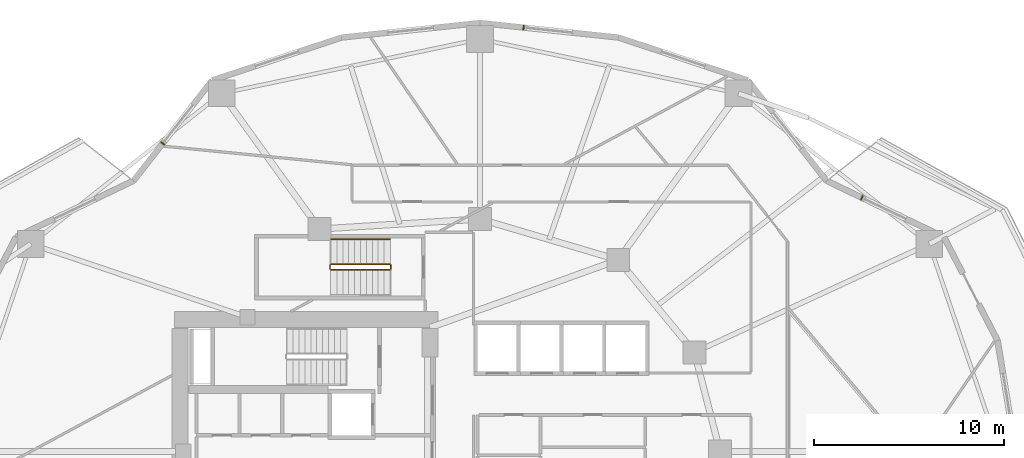
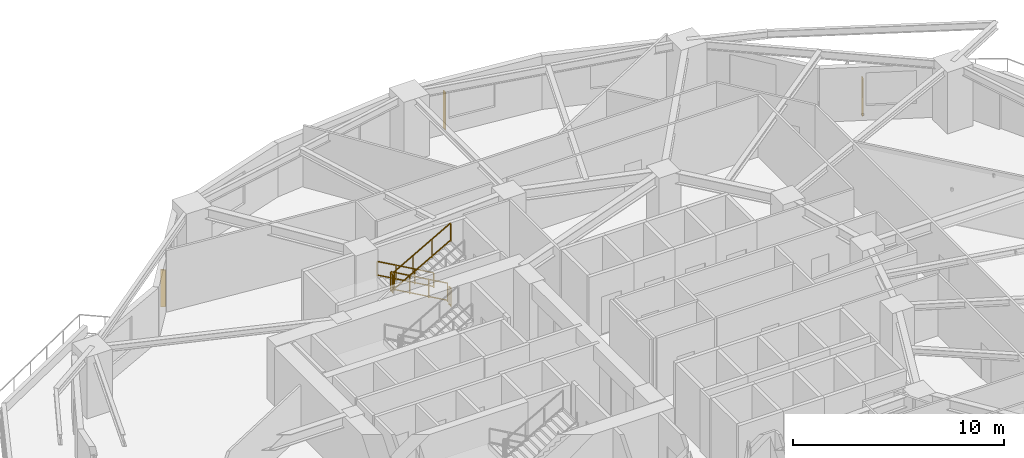
# One storey, part 16 of 16: 5 railings, 3 shading devices.
"""IFC4 building model written with IfcOpenShell, lengths in metres."""

from ifc_helpers import new_model, si_unit, direction, frame, origin, origin_2d, place, context, subcontext, project, spatial, rectangle, extrude, material, type_object, element, save


model = new_model("IFC4")

# Units and contexts
model_context = context("Model", 3, precision=1e-05, world=origin(), true_north=direction((0.0, 1.0)))
body_context = subcontext(model_context, "Body", "Model", "MODEL_VIEW")
ifc_project = project(units=[si_unit("LENGTHUNIT", "METRE"), si_unit("AREAUNIT", "SQUARE_METRE"), si_unit("VOLUMEUNIT", "CUBIC_METRE"), si_unit("PLANEANGLEUNIT", "RADIAN"), si_unit("MASSUNIT", "GRAM", prefix="KILO")], contexts=[model_context])

# Site, building, storey
site_placement = place(None, origin())
site = spatial("IfcSite", under=ifc_project, at=site_placement, CompositionType="ELEMENT")
building_placement = place(site_placement, origin())
building = spatial("IfcBuilding", under=site, at=building_placement, Name="Kolvaren Gate Tower and Convention Centre", CompositionType="ELEMENT")
storey_placement = place(building_placement, frame((0.0, 0.0, 34.199951171875)))
storey = spatial("IfcBuildingStorey", under=building, at=storey_placement, Name="L07", CompositionType="ELEMENT", Elevation=34.199951171875)

# Railings
ifc_material_1 = material(Name="Brushed Stainless Steel Grade 316L", Category="steel")
railing_type_1 = type_object("IfcRailingType", Name="ARCH-RL-GUARD-1150", PredefinedType="GUARDRAIL", material=ifc_material_1)
railing_1_placement = place(storey_placement, frame((25.39990234375, 36.830078125, 0.175048828125)))
element("IfcRailing", 1, at=railing_1_placement, inside=storey, type_object=railing_type_1, Name="L07 ST-T3 stair guard 1", PredefinedType="GUARDRAIL", context=body_context, shape_type="SweptSolid", body=[
    extrude(rectangle(XDim=0.048095703125, YDim=0.048095703125, at=origin_2d()), frame((0.0, 0.0, 1.076171875), z_axis=(-0.870814364268, 0.0, 0.491611984175), x_axis=(0.0, -1.0, 0.0)), (0.0, 0.0, 1.0), 3.559814453125),
    extrude(rectangle(XDim=0.048095703125, YDim=0.048095703125, at=origin_2d()), frame((0.0, 0.0, 0.083984375), z_axis=(-0.870814364268, 0.0, 0.491611984175), x_axis=(0.0, -1.0, 0.0)), (0.0, 0.0, 1.0), 3.559814453125),
    extrude(rectangle(XDim=0.0419921875, YDim=0.0419921875, at=origin_2d()), origin(), (0.0, 0.0, 1.0), 1.050048828125),
    extrude(rectangle(XDim=0.0419921875, YDim=0.0419921875, at=origin_2d()), frame((-3.099853515625, 0.0, 1.75)), (0.0, 0.0, 1.0), 1.050048828125),
    extrude(rectangle(XDim=0.0419921875, YDim=0.0419921875, at=origin_2d()), frame((-1.033203125, 0.0, 0.583251953125)), (0.0, 0.0, 1.0), 1.050048828125),
    extrude(rectangle(XDim=0.0419921875, YDim=0.0419921875, at=origin_2d()), frame((-2.066650390625, 0.0, 1.166748046875)), (0.0, 0.0, 1.0), 1.050048828125),
])
railing_2_placement = place(storey_placement, frame((22.25, 36.780029296875, 1.925048828125)))
element("IfcRailing", 2, at=railing_2_placement, inside=storey, type_object=railing_type_1, Name="L07 ST-T3 stair guard 2", PredefinedType="GUARDRAIL", context=body_context, shape_type="SweptSolid", body=[
    extrude(rectangle(XDim=0.048095703125, YDim=0.048095703125, at=origin_2d()), frame((0.0, 0.0, 1.076171875), z_axis=(0.0, -1.0, 0.0), x_axis=(1.0, 0.0, 0.0)), (0.0, 0.0, 1.0), 0.199951171875),
    extrude(rectangle(XDim=0.048095703125, YDim=0.048095703125, at=origin_2d()), frame((0.0, 0.0, 0.083984375), z_axis=(0.0, -1.0, 0.0), x_axis=(1.0, 0.0, 0.0)), (0.0, 0.0, 1.0), 0.199951171875),
    extrude(rectangle(XDim=0.0419921875, YDim=0.0419921875, at=origin_2d()), origin(), (0.0, 0.0, 1.0), 1.050048828125),
    extrude(rectangle(XDim=0.0419921875, YDim=0.0419921875, at=origin_2d()), frame((0.0, -0.199951171875, 0.0)), (0.0, 0.0, 1.0), 1.050048828125),
])
railing_3_placement = place(storey_placement, frame((22.300048828125, 36.530029296875, 2.10009765625)))
element("IfcRailing", 3, at=railing_3_placement, inside=storey, type_object=railing_type_1, Name="L07 ST-T3 stair guard 3", PredefinedType="GUARDRAIL", context=body_context, shape_type="SweptSolid", body=[
    extrude(rectangle(XDim=0.048095703125, YDim=0.048095703125, at=origin_2d()), frame((0.0, 0.0, 1.076171875), z_axis=(0.870814364268, 0.0, 0.491611984175), x_axis=(0.0, 1.0, 0.0)), (0.0, 0.0, 1.0), 3.559814453125),
    extrude(rectangle(XDim=0.048095703125, YDim=0.048095703125, at=origin_2d()), frame((0.0, 0.0, 0.083984375), z_axis=(0.870814364268, 0.0, 0.491611984175), x_axis=(0.0, 1.0, 0.0)), (0.0, 0.0, 1.0), 3.559814453125),
    extrude(rectangle(XDim=0.0419921875, YDim=0.0419921875, at=origin_2d()), origin(), (0.0, 0.0, 1.0), 1.050048828125),
    extrude(rectangle(XDim=0.0419921875, YDim=0.0419921875, at=origin_2d()), frame((3.099853515625, 0.0, 1.75)), (0.0, 0.0, 1.0), 1.050048828125),
    extrude(rectangle(XDim=0.0419921875, YDim=0.0419921875, at=origin_2d()), frame((1.033203125, 0.0, 0.583251953125)), (0.0, 0.0, 1.0), 1.050048828125),
    extrude(rectangle(XDim=0.0419921875, YDim=0.0419921875, at=origin_2d()), frame((2.066650390625, 0.0, 1.166748046875)), (0.0, 0.0, 1.0), 1.050048828125),
])
railing_4_placement = place(storey_placement, frame((25.449951171875, 36.780029296875, 0.0)))
element("IfcRailing", 4, at=railing_4_placement, inside=storey, type_object=railing_type_1, Name="L07 ST-T3 stair guard 4", PredefinedType="GUARDRAIL", context=body_context, shape_type="SweptSolid", body=[
    extrude(rectangle(XDim=0.048095703125, YDim=0.048095703125, at=origin_2d()), frame((0.0, 0.0, 1.076171875), z_axis=(0.0, -1.0, 0.0), x_axis=(1.0, 0.0, 0.0)), (0.0, 0.0, 1.0), 0.199951171875),
    extrude(rectangle(XDim=0.048095703125, YDim=0.048095703125, at=origin_2d()), frame((0.0, 0.0, 0.083984375), z_axis=(0.0, -1.0, 0.0), x_axis=(1.0, 0.0, 0.0)), (0.0, 0.0, 1.0), 0.199951171875),
    extrude(rectangle(XDim=0.0419921875, YDim=0.0419921875, at=origin_2d()), origin(), (0.0, 0.0, 1.0), 1.050048828125),
    extrude(rectangle(XDim=0.0419921875, YDim=0.0419921875, at=origin_2d()), frame((0.0, -0.199951171875, 0.0)), (0.0, 0.0, 1.0), 1.050048828125),
])
railing_type_2 = type_object("IfcRailingType", Name="ARCH-RL-HANDRAIL-920", PredefinedType="HANDRAIL", material=ifc_material_1)
railing_5_placement = place(storey_placement, frame((25.39990234375, 38.14990234375, 0.175048828125)))
element("IfcRailing", 5, at=railing_5_placement, inside=storey, type_object=railing_type_2, Name="L07 ST-T3 stair handrail 1", PredefinedType="HANDRAIL", context=body_context, shape_type="SweptSolid", body=[
    extrude(rectangle(XDim=0.048095703125, YDim=0.048095703125, at=origin_2d()), frame((0.0, 0.0, 0.8759765625), z_axis=(-0.870814364268, 0.0, 0.491611984175), x_axis=(0.0, -1.0, 0.0)), (0.0, 0.0, 1.0), 3.559814453125),
    extrude(rectangle(XDim=0.048095703125, YDim=0.048095703125, at=origin_2d()), frame((0.0, 0.0, 0.083984375), z_axis=(-0.870814364268, 0.0, 0.491611984175), x_axis=(0.0, -1.0, 0.0)), (0.0, 0.0, 1.0), 3.559814453125),
    extrude(rectangle(XDim=0.0419921875, YDim=0.0419921875, at=origin_2d()), origin(), (0.0, 0.0, 1.0), 0.849853515625),
    extrude(rectangle(XDim=0.0419921875, YDim=0.0419921875, at=origin_2d()), frame((-3.099853515625, 0.0, 1.75)), (0.0, 0.0, 1.0), 0.849853515625),
    extrude(rectangle(XDim=0.0419921875, YDim=0.0419921875, at=origin_2d()), frame((-1.033203125, 0.0, 0.583251953125)), (0.0, 0.0, 1.0), 0.849853515625),
    extrude(rectangle(XDim=0.0419921875, YDim=0.0419921875, at=origin_2d()), frame((-2.066650390625, 0.0, 1.166748046875)), (0.0, 0.0, 1.0), 0.849853515625),
])

# Shading devices
ifc_material_2 = material(Name="Kiln-Fired Bogota Terracotta Ceramic Louvre Profile", Category="masonry")
shading_device_type = type_object("IfcShadingDeviceType", Name="ARCH-SHD-FIN-180", PredefinedType="JALOUSIE", material=ifc_material_2)
for number, where, z_axis, x_axis, name in (
    (6, (50.173095703125, 40.3203125, 0.22021484375), (0.0, 0.0, 1.0), (0.90136443672, -0.433061372343, 0.0), "Ceramic Vertical Brise-Soleil Fin FN-L07-02"),
    (7, (32.412353515625, 49.259033203125, 0.22021484375), (0.0, 0.0, 1.0), (0.994498884311, -0.104747167526, 0.0), "Ceramic Vertical Brise-Soleil Fin FN-L07-05"),
    (8, (13.469482421875, 43.173583984375, 0.22021484375), (0.0, 0.0, 1.0), (0.616424499081, 0.787414018756, 0.0), "Ceramic Vertical Brise-Soleil Fin FN-L07-08"),
):
    element("IfcShadingDevice", number, at=place(storey_placement, frame(where, z_axis=z_axis, x_axis=x_axis)), inside=storey, type_object=shading_device_type, Name=name, PredefinedType="JALOUSIE", context=body_context, shape_type="SweptSolid", body=[
        extrude(rectangle(XDim=0.06005859375, YDim=0.239990234375, at=origin_2d()), origin(), (0.0, 0.0, 1.0), 2.14990234375),
    ])

save(model, "model.ifc")
